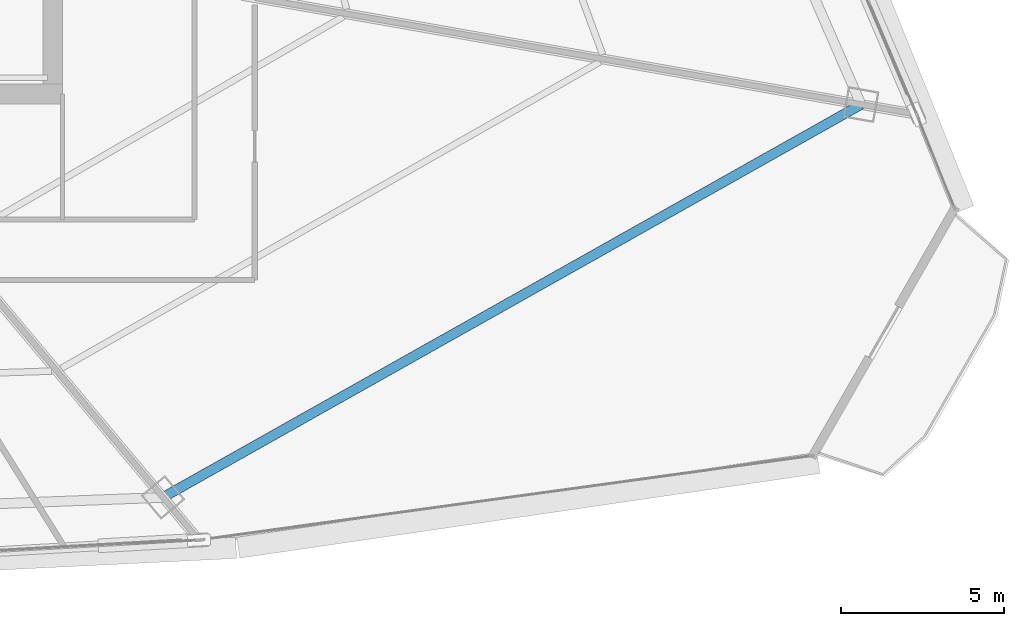
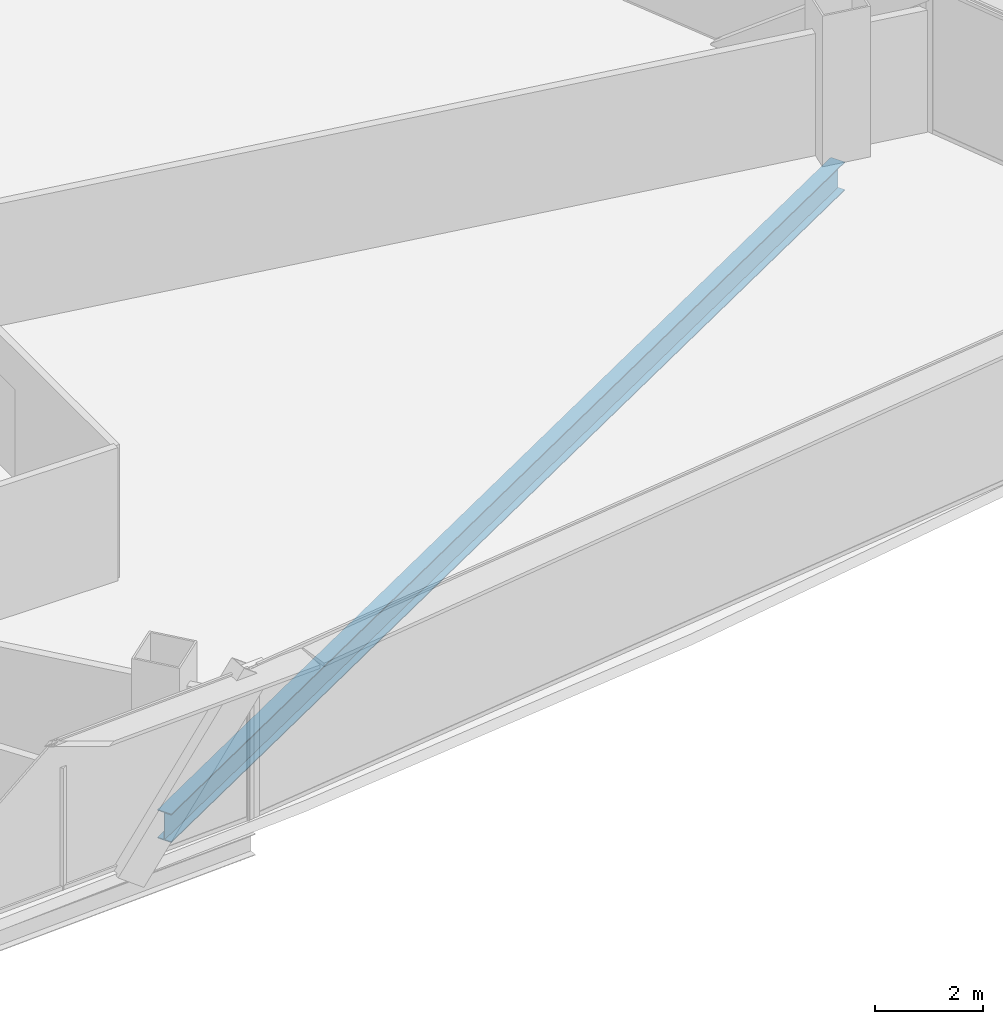
# One storey, part 23 of 39: 1 beam.
"""IFC4 building model written with IfcOpenShell, lengths in metres."""

from ifc_helpers import new_model, si_unit, direction, frame, origin, origin_2d, place, context, subcontext, project, spatial, i_section, extrude, source, transform, mapped, material, material_profile, profile_set, type_object, element, save


model = new_model("IFC4")

# Units and contexts
model_context = context("Model", 3, precision=1e-05, world=origin(), true_north=direction((0.0, 1.0)))
body_context = subcontext(model_context, "Body", "Model", "MODEL_VIEW")
ifc_project = project(units=[si_unit("LENGTHUNIT", "METRE"), si_unit("AREAUNIT", "SQUARE_METRE"), si_unit("VOLUMEUNIT", "CUBIC_METRE"), si_unit("PLANEANGLEUNIT", "RADIAN"), si_unit("MASSUNIT", "GRAM", prefix="KILO"), si_unit("THERMODYNAMICTEMPERATUREUNIT", "KELVIN"), si_unit("POWERUNIT", "WATT")], contexts=[model_context])

# Site, building, storey
site_placement = place(None, origin())
site = spatial("IfcSite", under=ifc_project, at=site_placement, CompositionType="ELEMENT")
building_placement = place(site_placement, origin())
building = spatial("IfcBuilding", under=site, at=building_placement, Name="Yunzhuo Pagoda Commons", CompositionType="ELEMENT")
storey_placement = place(building_placement, frame((0.0, 0.0, 140.8701171875)))
storey = spatial("IfcBuildingStorey", under=building, at=storey_placement, Name="L35", CompositionType="ELEMENT", Elevation=140.8701171875)

# Beam
ifc_material = material(Name="Structural steel Q355B", Category="steel")
ifc_material_profile = material_profile(ifc_material, i_section(OverallWidth=0.300048828125, OverallDepth=0.64990234375, WebThickness=0.012939453125, FlangeThickness=0.02197265625, at=origin_2d()), Name="Structural steel Q355B")
ifc_profile_set = profile_set([ifc_material_profile], Name="Structural steel Q355B")
beam_type = type_object("IfcBeamType", Name="B-RG2 Beam HN 650x300x13x22", PredefinedType="BEAM", material=ifc_profile_set)
shared_shape = source(origin(), body_context, "Body", "SweptSolid", [
    extrude(i_section(OverallWidth=0.300048828125, OverallDepth=0.64990234375, WebThickness=0.012939453125, FlangeThickness=0.02197265625, at=origin_2d()), origin(), (0.0, 0.0, 1.0), 24.56982421875),
])
beam_placement = place(storey_placement, frame((63.585205078125, 15.126220703125, -0.585205078125), z_axis=(0.871469103633, 0.490450406681, 0.0), x_axis=(-0.490450406681, 0.871469103633, 0.0)))
element("IfcBeam", 1, at=beam_placement, inside=storey, type_object=beam_type, Name="L35 column-ring beam 4", PredefinedType="BEAM", context=body_context, shape_type="MappedRepresentation", body=[
    mapped(shared_shape, transform((0.0, 0.0, 0.0), scale=1.0)),
])

save(model, "model.ifc")
